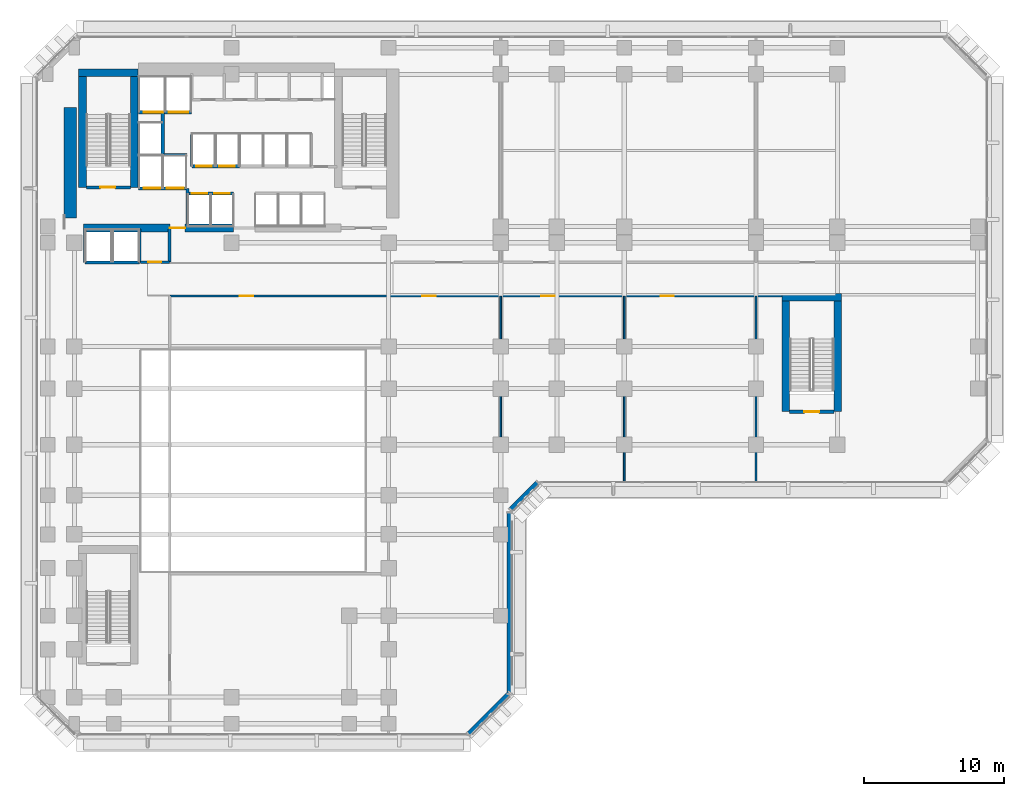
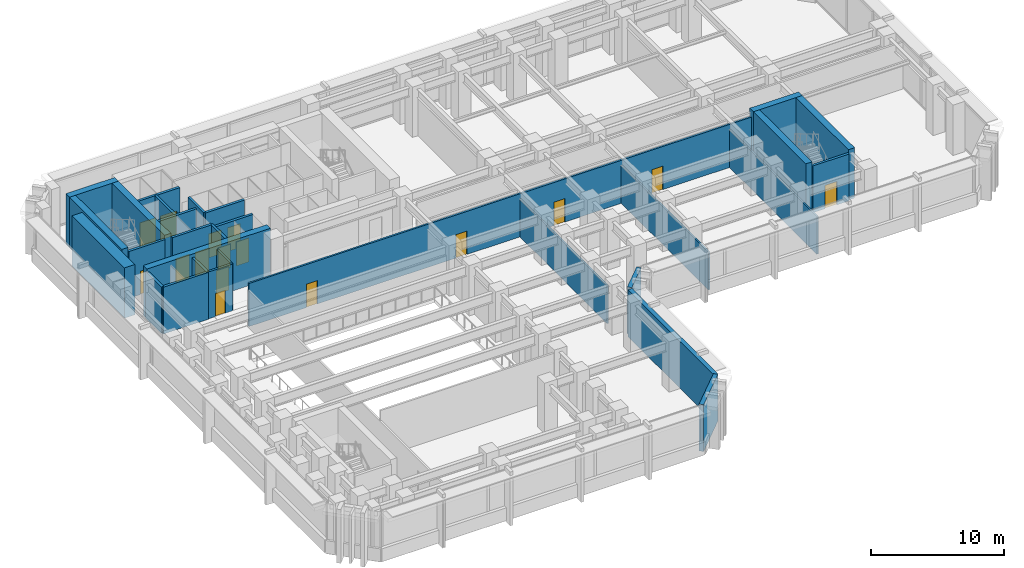
# One storey, part 7 of 16: 30 walls, 16 doors, 16 openings.
"""IFC4 building model written with IfcOpenShell, lengths in metres."""

import ifcopenshell
import ifcopenshell.guid

model = None  # the IFC model being written
_history = None  # IfcOwnerHistory: only IFC2X3 demands one
_inside = {}  # id of a spatial element -> (the spatial element, [elements in it])
_under = {}  # id of a project, library or spatial element -> (it, [spatial elements below it])
_declared = {}  # id of a project -> (the project, [libraries it declares])
_typed = {}  # id of a type object -> (the type object, [elements of that type])
_made_of = {}  # id of a material, layer set ... -> (it, [elements and type objects made of it])


def new_model(schema):
    """Start an empty IFC model of exactly this schema.

    Asked for "IFC4X3", IfcOpenShell would pick the latest addendum, in which some entities
    have other attributes; the version numbers below select the first issue.
    IFC2X3 requires an IfcOwnerHistory on every rooted entity: one is made here for all.
    """
    global model, _history
    if schema == "IFC4X3":
        model = ifcopenshell.file(schema_version=(4, 3, 0, 0))
    else:
        model = ifcopenshell.file(schema=schema)
    _inside.clear()
    _under.clear()
    _declared.clear()
    _typed.clear()
    _made_of.clear()
    _history = None
    if model.schema == "IFC2X3":
        org = make("IfcOrganization", Name="unknown")
        user = make(
            "IfcPersonAndOrganization",
            ThePerson=make("IfcPerson", FamilyName="unknown"),
            TheOrganization=org,
        )
        app = make(
            "IfcApplication",
            ApplicationDeveloper=org,
            Version="unknown",
            ApplicationFullName="unknown",
            ApplicationIdentifier="unknown",
        )
        _history = make(
            "IfcOwnerHistory",
            OwningUser=user,
            OwningApplication=app,
            ChangeAction="ADDED",
            CreationDate=0,
        )
    return model


def make(cls, **values):
    """One entity of the class cls with the attributes given. An attribute that is None is left unset."""
    return model.create_entity(
        cls, **{name: value for name, value in values.items() if value is not None}
    )


def rooted(cls, **values):
    """An entity with a GlobalId (a new one), such as an element, a storey or a relation."""
    return make(cls, GlobalId=ifcopenshell.guid.new(), OwnerHistory=_history, **values)


def si_unit(unit_type, name, prefix=None):
    """IfcSIUnit, for example si_unit("LENGTHUNIT", "METRE", prefix="MILLI")."""
    return make("IfcSIUnit", UnitType=unit_type, Prefix=prefix, Name=name)


def assignment(units):
    """IfcUnitAssignment: the units of a project."""
    return None if units is None else make("IfcUnitAssignment", Units=units)


def point(xyz):
    """IfcCartesianPoint."""
    return None if xyz is None else make("IfcCartesianPoint", Coordinates=xyz)


def direction(xyz):
    """IfcDirection."""
    return None if xyz is None else make("IfcDirection", DirectionRatios=xyz)


def frame(location, z_axis=None, x_axis=None):
    """IfcAxis2Placement3D, a coordinate frame: its origin and axes. An axis left out is left unset."""
    return make(
        "IfcAxis2Placement3D",
        Location=point(location),
        Axis=direction(z_axis),
        RefDirection=direction(x_axis),
    )


def frame_2d(location, x_axis=None):
    """IfcAxis2Placement2D, a coordinate frame in the plane: its origin and x axis."""
    return make(
        "IfcAxis2Placement2D", Location=point(location), RefDirection=direction(x_axis)
    )


def origin():
    """The frame at (0, 0, 0) with its axes left unset."""
    return frame((0.0, 0.0, 0.0))


def place(relative_to, where):
    """IfcLocalPlacement: puts the frame where relative to a parent placement (None: the world)."""
    return make(
        "IfcLocalPlacement", PlacementRelTo=relative_to, RelativePlacement=where
    )


def context(
    kind, dimensions, precision=None, world=None, true_north=None, identifier=None
):
    """IfcGeometricRepresentationContext, for example the 3D "Model" context."""
    return make(
        "IfcGeometricRepresentationContext",
        ContextIdentifier=identifier,
        ContextType=kind,
        CoordinateSpaceDimension=dimensions,
        Precision=precision,
        WorldCoordinateSystem=world,
        TrueNorth=true_north,
    )


def subcontext(parent, identifier, kind, view, scale=None):
    """IfcGeometricRepresentationSubContext, for example "Body" below "Model"."""
    return make(
        "IfcGeometricRepresentationSubContext",
        ContextIdentifier=identifier,
        ContextType=kind,
        ParentContext=parent,
        TargetScale=scale,
        TargetView=view,
    )


def project(units=None, contexts=None):
    """IfcProject with its units and contexts."""
    return rooted(
        "IfcProject",
        Name="project",
        RepresentationContexts=contexts,
        UnitsInContext=assignment(units),
    )


def spatial(cls, under=None, at=None, **own):
    """A site, building, storey or space (cls), placed at a placement, below another one or the project."""
    s = rooted(cls, ObjectPlacement=at, **own)
    if under is not None:
        _under.setdefault(under.id(), (under, []))[1].append(s)
    return s


def profile(cls, at=None, kind="AREA", **sizes):
    """A parametric profile (cls). Its sizes go by their IFC names, for example OverallWidth=200.0."""
    return make(cls, ProfileType=kind, Position=at, **sizes)


def rectangle(**sizes):
    """IfcRectangleProfileDef."""
    return profile("IfcRectangleProfileDef", **sizes)


def extrude(swept, where, along, depth):
    """IfcExtrudedAreaSolid: the profile swept, set in the frame where, extruded along a direction by depth."""
    return make(
        "IfcExtrudedAreaSolid",
        SweptArea=swept,
        Position=where,
        ExtrudedDirection=direction(along),
        Depth=depth,
    )


def shape(context_of_items, identifier, shape_type, items):
    """IfcShapeRepresentation: the items that make up one representation, for example the "Body"."""
    return make(
        "IfcShapeRepresentation",
        ContextOfItems=context_of_items,
        RepresentationIdentifier=identifier,
        RepresentationType=shape_type,
        Items=items,
    )


def material(Name=None, Category=None):
    """IfcMaterial."""
    return make("IfcMaterial", Name=Name, Category=Category)


def layer(
    of_material, thickness, ventilated=None, Name=None, Category=None, Priority=None
):
    """IfcMaterialLayer: one layer of a wall or slab, of a material (None: an air gap)."""
    return make(
        "IfcMaterialLayer",
        Material=of_material,
        LayerThickness=thickness,
        IsVentilated=ventilated,
        Name=Name,
        Category=Category,
        Priority=Priority,
    )


def layer_set(layers, Name=None):
    """IfcMaterialLayerSet."""
    return make("IfcMaterialLayerSet", MaterialLayers=layers, LayerSetName=Name)


def made_of(thing, what):
    """Note that an element or type object is made of a material, layer set ...; save() writes the relation."""
    if what is not None:
        _made_of.setdefault(what.id(), (what, []))[1].append(thing)
    return thing


def type_object(cls, material=None, **own):
    """A type object (cls), such as IfcWallType, which elements share."""
    return made_of(rooted(cls, **own), material)


def element(
    cls,
    number,
    at=None,
    inside=None,
    cuts=None,
    type_object=None,
    material=None,
    context=None,
    identifier="Body",
    shape_type=None,
    held_by="IfcProductDefinitionShape",
    body=None,
    shapes=None,
    **own,
):
    """One element of the class cls, such as IfcWall. Its Tag is "e" and its number.

    at: its placement. inside: the storey or other place that contains it. cuts: it is an
    opening in that element (IfcRelVoidsElement). A single representation is given by context,
    identifier, shape_type and body (its items); several are given by shapes. held_by: the class
    of the entity that holds the representations. save() writes the other relations.
    """
    e = rooted(cls, Tag="e%d" % number, ObjectPlacement=at, **own)
    if body is not None:
        shapes = [shape(context, identifier, shape_type, body)]
    if shapes is not None:
        e.Representation = make(held_by, Representations=shapes)
    if inside is not None:
        _inside.setdefault(inside.id(), (inside, []))[1].append(e)
    if cuts is not None:
        rooted(
            "IfcRelVoidsElement", RelatingBuildingElement=cuts, RelatedOpeningElement=e
        )
    if type_object is not None:
        _typed.setdefault(type_object.id(), (type_object, []))[1].append(e)
    return made_of(e, material)


def fill(opening, filler):
    """IfcRelFillsElement: the door or window that sits in an opening."""
    return rooted(
        "IfcRelFillsElement",
        RelatingOpeningElement=opening,
        RelatedBuildingElement=filler,
    )


def aggregate(whole, parts):
    """IfcRelAggregates: a whole, such as a stair, and the parts it consists of."""
    return rooted("IfcRelAggregates", RelatingObject=whole, RelatedObjects=parts)


def save(model, path):
    """Write the relations noted so far, then the file.

    IfcRelAggregates (storeys below a building ...), IfcRelContainedInSpatialStructure (elements
    in a storey), IfcRelDefinesByType, IfcRelAssociatesMaterial and IfcRelDeclares: one each for
    every whole, place, type object, material and project.
    """
    for whole, parts in _under.values():
        aggregate(whole, parts)
    for where, things in _inside.values():
        rooted(
            "IfcRelContainedInSpatialStructure",
            RelatedElements=things,
            RelatingStructure=where,
        )
    for kind, things in _typed.values():
        rooted("IfcRelDefinesByType", RelatedObjects=things, RelatingType=kind)
    for what, things in _made_of.values():
        rooted("IfcRelAssociatesMaterial", RelatedObjects=things, RelatingMaterial=what)
    for by, libraries in _declared.values():
        rooted("IfcRelDeclares", RelatingContext=by, RelatedDefinitions=libraries)
    model.write(path)


model = new_model("IFC4")

# Units and contexts
model_context = context("Model", 3, precision=1e-05, world=origin(), true_north=direction((0.0, 1.0)))
body_context = subcontext(model_context, "Body", "Model", "MODEL_VIEW")
ifc_project = project(units=[si_unit("LENGTHUNIT", "METRE"), si_unit("AREAUNIT", "SQUARE_METRE"), si_unit("VOLUMEUNIT", "CUBIC_METRE"), si_unit("PLANEANGLEUNIT", "RADIAN"), si_unit("MASSUNIT", "GRAM", prefix="KILO")], contexts=[model_context])

# Site, building, storey
site_placement = place(None, origin())
site = spatial("IfcSite", under=ifc_project, at=site_placement, CompositionType="ELEMENT")
building_placement = place(site_placement, origin())
building = spatial("IfcBuilding", under=site, at=building_placement, Name="Kefirva Bronze Tower", CompositionType="ELEMENT")
storey_placement = place(building_placement, frame((0.0, 0.0, 16.5)))
storey = spatial("IfcBuildingStorey", under=building, at=storey_placement, Name="L03", CompositionType="ELEMENT", Elevation=16.5)

# Walls
ifc_material_1 = material(Name="Gypsum acoustic partition")
ifc_layer_1 = layer(ifc_material_1, 0.1298828125, Name="Gypsum acoustic partition")
ifc_layer_set_1 = layer_set([ifc_layer_1], Name="Gypsum acoustic partition")
wall_type_1 = type_object("IfcWallType", Name="Acoustic Office Partition 130mm", PredefinedType="PARTITIONING", material=ifc_layer_set_1)
for number, where, z_axis, x_axis, name in (
    (1, (31.199951171875, 16.18994140625, 0.0), (0.0, 0.0, 1.0), (0.0, 1.0, 0.0), "L03 Partition W-L03-TRDV1"),
    (2, (40.0, 16.18994140625, 0.0), (0.0, 0.0, 1.0), (0.0, 1.0, 0.0), "L03 Partition W-L03-TRDV2"),
    (3, (49.39990234375, 16.18994140625, 0.0), (0.0, 0.0, 1.0), (0.0, 1.0, 0.0), "L03 Partition W-L03-TRDV3"),
):
    element("IfcWall", number, at=place(storey_placement, frame(where, z_axis=z_axis, x_axis=x_axis)), inside=storey, type_object=wall_type_1, Name=name, PredefinedType="PARTITIONING", context=body_context, shape_type="SweptSolid", body=[
        extrude(rectangle(XDim=13.2099609375, YDim=0.1298828125, at=frame_2d((6.60498046875, 0.0))), origin(), (0.0, 0.0, 1.0), 3.485107421875),
    ])

# Wall, opening, door
ifc_material_2 = material(Name="Gypsum fireboard shaftwall")
ifc_layer_2 = layer(ifc_material_2, 0.219970703125, Name="Gypsum fireboard shaftwall")
ifc_layer_set_2 = layer_set([ifc_layer_2], Name="Gypsum fireboard shaftwall")
wall_type_2 = type_object("IfcWallType", Name="Fire-Rated Shaft Enclosure Wall 220mm", PredefinedType="PARTITIONING", material=ifc_layer_set_2)
wall_1_placement = place(storey_placement, frame((1.64990234375, 37.14990234375, 0.0), z_axis=(0.0, 0.0, 1.0), x_axis=(1.0, 0.0, 0.0)))
wall_1 = element("IfcWall", 4, at=wall_1_placement, inside=storey, type_object=wall_type_2, Name="L03 Partition W-L03-ST1S", PredefinedType="PARTITIONING", context=body_context, shape_type="SweptSolid", body=[
    extrude(rectangle(XDim=3.150146484375, YDim=0.219970703125, at=frame_2d((1.5751953125, 0.0))), origin(), (0.0, 0.0, 1.0), 4.300048828125),
])
opening_1_placement = place(wall_1_placement, frame((2.050048828125, 0.0, 0.0), z_axis=(0.0, 0.0, 1.0), x_axis=(-1.0, 0.0, 0.0)))
opening_1 = element("IfcOpeningElement", 5, at=opening_1_placement, cuts=wall_1, Name="Opening L03-D001", PredefinedType="OPENING", context=body_context, shape_type="SweptSolid", body=[
    extrude(rectangle(XDim=1.050048828125, YDim=2.14990234375, at=frame_2d((0.52490234375, 1.074951171875))), frame((0.0, 0.1201171875, 0.0), z_axis=(0.0, -1.0, 0.0), x_axis=(1.0, 0.0, 0.0)), (0.0, 0.0, 1.0), 0.239990234375),
])
ifc_material_3 = material(Name="Painted galvanized steel", Category="steel")
door_type_1 = type_object("IfcDoorType", Name="Fire Stair Enclosure Door 1050x2150 FD90S", OperationType="NOTDEFINED", PredefinedType="DOOR", material=ifc_material_3)
door_1_placement = place(opening_1_placement, origin())
door_1 = element("IfcDoor", 6, at=door_1_placement, inside=storey, type_object=door_type_1, Name="Door L03-D001", OperationType="SINGLE_SWING_LEFT", OverallHeight=2.14990234375, OverallWidth=1.050048828125, PredefinedType="DOOR", context=body_context, shape_type="SweptSolid", body=[
    extrude(rectangle(XDim=1.050048828125, YDim=2.14990234375, at=frame_2d((0.52490234375, 1.074951171875))), frame((0.0, 0.02490234375, 0.0), z_axis=(0.0, -1.0, 0.0), x_axis=(1.0, 0.0, 0.0)), (0.0, 0.0, 1.0), 0.050048828125),
])
fill(opening_1, door_1)

# Wall, openings, doors
wall_2_placement = place(storey_placement, frame((5.3798828125, 37.080078125, 0.0), z_axis=(0.0, 0.0, 1.0), x_axis=(1.0, 0.0, 0.0)))
wall_2 = element("IfcWall", 7, at=wall_2_placement, inside=storey, type_object=wall_type_2, Name="L03 Partition W-L03-FFS", PredefinedType="PARTITIONING", context=body_context, shape_type="SweptSolid", body=[
    extrude(rectangle(XDim=3.460205078125, YDim=0.219970703125, at=frame_2d((1.72998046875, 0.0))), origin(), (0.0, 0.0, 1.0), 4.300048828125),
])
opening_2_placement = place(wall_2_placement, frame((1.550048828125, 0.0, 0.0), z_axis=(0.0, 0.0, 1.0), x_axis=(-1.0, 0.0, 0.0)))
opening_2 = element("IfcOpeningElement", 8, at=opening_2_placement, cuts=wall_2, Name="Opening L03-LD-FF1", PredefinedType="OPENING", context=body_context, shape_type="SweptSolid", body=[
    extrude(rectangle(XDim=1.199951171875, YDim=2.199951171875, at=frame_2d((0.60009765625, 1.10009765625))), frame((0.0, 0.1201171875, 0.0), z_axis=(0.0, -1.0, 0.0), x_axis=(1.0, 0.0, 0.0)), (0.0, 0.0, 1.0), 0.239990234375),
])
opening_3_placement = place(wall_2_placement, frame((3.219970703125, 0.0, 0.0), z_axis=(0.0, 0.0, 1.0), x_axis=(-1.0, 0.0, 0.0)))
opening_3 = element("IfcOpeningElement", 9, at=opening_3_placement, cuts=wall_2, Name="Opening L03-LD-FF2", PredefinedType="OPENING", context=body_context, shape_type="SweptSolid", body=[
    extrude(rectangle(XDim=1.199951171875, YDim=2.199951171875, at=frame_2d((0.60009765625, 1.10009765625))), frame((0.0, 0.1201171875, 0.0), z_axis=(0.0, -1.0, 0.0), x_axis=(1.0, 0.0, 0.0)), (0.0, 0.0, 1.0), 0.239990234375),
])
ifc_material_4 = material(Name="Stainless steel 316", Category="steel")
door_type_2 = type_object("IfcDoorType", Name="Firefighting Lift Sliding Door 1200x2200", OperationType="SLIDING_TO_RIGHT", PredefinedType="DOOR", material=ifc_material_4)
door_2_placement = place(opening_2_placement, origin())
door_2 = element("IfcDoor", 10, at=door_2_placement, inside=storey, type_object=door_type_2, Name="Door L03-LD-FF1", OperationType="SLIDING_TO_RIGHT", OverallHeight=2.199951171875, OverallWidth=1.199951171875, PredefinedType="DOOR", context=body_context, shape_type="SweptSolid", body=[
    extrude(rectangle(XDim=1.199951171875, YDim=2.199951171875, at=frame_2d((0.60009765625, 1.10009765625))), frame((0.0, 0.02490234375, 0.0), z_axis=(0.0, -1.0, 0.0), x_axis=(1.0, 0.0, 0.0)), (0.0, 0.0, 1.0), 0.050048828125),
])
fill(opening_2, door_2)
door_3_placement = place(opening_3_placement, origin())
door_3 = element("IfcDoor", 11, at=door_3_placement, inside=storey, type_object=door_type_2, Name="Door L03-LD-FF2", OperationType="SLIDING_TO_RIGHT", OverallHeight=2.199951171875, OverallWidth=1.199951171875, PredefinedType="DOOR", context=body_context, shape_type="SweptSolid", body=[
    extrude(rectangle(XDim=1.199951171875, YDim=2.199951171875, at=frame_2d((0.60009765625, 1.10009765625))), frame((0.0, 0.02490234375, 0.0), z_axis=(0.0, -1.0, 0.0), x_axis=(1.0, 0.0, 0.0)), (0.0, 0.0, 1.0), 0.050048828125),
])
fill(opening_3, door_3)

# Wall
wall_3_placement = place(storey_placement, frame((5.3798828125, 39.449951171875, 0.0), z_axis=(0.0, 0.0, 1.0), x_axis=(1.0, 0.0, 0.0)))
element("IfcWall", 12, at=wall_3_placement, inside=storey, type_object=wall_type_2, Name="L03 Partition W-L03-FFN", PredefinedType="PARTITIONING", context=body_context, shape_type="SweptSolid", body=[
    extrude(rectangle(XDim=3.460205078125, YDim=0.219970703125, at=frame_2d((1.72998046875, 0.0))), origin(), (0.0, 0.0, 1.0), 4.300048828125),
])

# Wall, openings, doors
wall_4_placement = place(storey_placement, frame((5.3798828125, 42.5, 0.0), z_axis=(0.0, 0.0, 1.0), x_axis=(1.0, 0.0, 0.0)))
wall_4 = element("IfcWall", 13, at=wall_4_placement, inside=storey, type_object=wall_type_2, Name="L03 Partition W-L03-SVS", PredefinedType="PARTITIONING", context=body_context, shape_type="SweptSolid", body=[
    extrude(rectangle(XDim=3.77001953125, YDim=0.219970703125, at=frame_2d((1.885009765625, 0.0))), origin(), (0.0, 0.0, 1.0), 4.300048828125),
])
opening_4_placement = place(wall_4_placement, frame((1.75, 0.0, 0.0), z_axis=(0.0, 0.0, 1.0), x_axis=(-1.0, 0.0, 0.0)))
opening_4 = element("IfcOpeningElement", 14, at=opening_4_placement, cuts=wall_4, Name="Opening L03-LD-SV1", PredefinedType="OPENING", context=body_context, shape_type="SweptSolid", body=[
    extrude(rectangle(XDim=1.39990234375, YDim=2.199951171875, at=frame_2d((0.699951171875, 1.10009765625))), frame((0.0, 0.1201171875, 0.0), z_axis=(0.0, -1.0, 0.0), x_axis=(1.0, 0.0, 0.0)), (0.0, 0.0, 1.0), 0.239990234375),
])
opening_5_placement = place(wall_4_placement, frame((3.52978515625, 0.0, 0.0), z_axis=(0.0, 0.0, 1.0), x_axis=(-1.0, 0.0, 0.0)))
opening_5 = element("IfcOpeningElement", 15, at=opening_5_placement, cuts=wall_4, Name="Opening L03-LD-SV2", PredefinedType="OPENING", context=body_context, shape_type="SweptSolid", body=[
    extrude(rectangle(XDim=1.39990234375, YDim=2.199951171875, at=frame_2d((0.699951171875, 1.10009765625))), frame((0.0, 0.1201171875, 0.0), z_axis=(0.0, -1.0, 0.0), x_axis=(1.0, 0.0, 0.0)), (0.0, 0.0, 1.0), 0.239990234375),
])
door_type_3 = type_object("IfcDoorType", Name="Goods Lift Bi-Parting Sliding Door 1400x2200", OperationType="SLIDING_TO_LEFT", PredefinedType="DOOR", material=ifc_material_4)
door_4_placement = place(opening_4_placement, origin())
door_4 = element("IfcDoor", 16, at=door_4_placement, inside=storey, type_object=door_type_3, Name="Door L03-LD-SV1", OperationType="SLIDING_TO_LEFT", OverallHeight=2.199951171875, OverallWidth=1.39990234375, PredefinedType="DOOR", context=body_context, shape_type="SweptSolid", body=[
    extrude(rectangle(XDim=1.39990234375, YDim=2.199951171875, at=frame_2d((0.699951171875, 1.10009765625))), frame((0.0, 0.02490234375, 0.0), z_axis=(0.0, -1.0, 0.0), x_axis=(1.0, 0.0, 0.0)), (0.0, 0.0, 1.0), 0.050048828125),
])
fill(opening_4, door_4)
door_5_placement = place(opening_5_placement, origin())
door_5 = element("IfcDoor", 17, at=door_5_placement, inside=storey, type_object=door_type_3, Name="Door L03-LD-SV2", OperationType="SLIDING_TO_LEFT", OverallHeight=2.199951171875, OverallWidth=1.39990234375, PredefinedType="DOOR", context=body_context, shape_type="SweptSolid", body=[
    extrude(rectangle(XDim=1.39990234375, YDim=2.199951171875, at=frame_2d((0.699951171875, 1.10009765625))), frame((0.0, 0.02490234375, 0.0), z_axis=(0.0, -1.0, 0.0), x_axis=(1.0, 0.0, 0.0)), (0.0, 0.0, 1.0), 0.050048828125),
])
fill(opening_5, door_5)

# Walls
wall_5_placement = place(storey_placement, frame((7.10009765625, 39.52001953125, 0.0), z_axis=(0.0, 0.0, 1.0), x_axis=(0.0, 1.0, 0.0)))
element("IfcWall", 18, at=wall_5_placement, inside=storey, type_object=wall_type_2, Name="L03 Partition W-L03-HP3E", PredefinedType="PARTITIONING", context=body_context, shape_type="SweptSolid", body=[
    extrude(rectangle(XDim=2.929931640625, YDim=0.219970703125, at=frame_2d((1.46484375, 0.0))), origin(), (0.0, 0.0, 1.0), 4.300048828125),
])
wall_6_placement = place(storey_placement, frame((1.550048828125, 31.800048828125, 0.0), z_axis=(0.0, 0.0, 1.0), x_axis=(1.0, 0.0, 0.0)))
element("IfcWall", 19, at=wall_6_placement, inside=storey, type_object=wall_type_2, Name="L03 Partition W-L03-OBS", PredefinedType="PARTITIONING", context=body_context, shape_type="SweptSolid", body=[
    extrude(rectangle(XDim=3.89990234375, YDim=0.219970703125, at=frame_2d((1.949951171875, 0.0))), origin(), (0.0, 0.0, 1.0), 4.300048828125),
])
for number, where, z_axis, x_axis, name in (
    (20, (1.550048828125, 31.800048828125, 0.0), (0.0, 0.0, 1.0), (0.0, 1.0, 0.0), "L03 Partition W-L03-OBW"),
    (21, (5.449951171875, 31.800048828125, 0.0), (0.0, 0.0, 1.0), (0.0, 1.0, 0.0), "L03 Partition W-L03-OBE"),
):
    element("IfcWall", number, at=place(storey_placement, frame(where, z_axis=z_axis, x_axis=x_axis)), inside=storey, type_object=wall_type_2, Name=name, PredefinedType="PARTITIONING", context=body_context, shape_type="SweptSolid", body=[
        extrude(rectangle(XDim=2.3798828125, YDim=0.219970703125, at=frame_2d((1.18994140625, 0.0))), origin(), (0.0, 0.0, 1.0), 4.300048828125),
    ])
wall_7_placement = place(storey_placement, frame((9.159912109375, 38.64990234375, 0.0), z_axis=(0.0, 0.0, 1.0), x_axis=(0.0, 1.0, 0.0)))
element("IfcWall", 22, at=wall_7_placement, inside=storey, type_object=wall_type_2, Name="L03 Partition W-L03-LP3W", PredefinedType="PARTITIONING", context=body_context, shape_type="SweptSolid", body=[
    extrude(rectangle(XDim=2.35009765625, YDim=0.199951171875, at=frame_2d((1.175048828125, 0.0))), origin(), (0.0, 0.0, 1.0), 4.300048828125),
])

# Wall, openings, doors
wall_8_placement = place(storey_placement, frame((8.89990234375, 36.699951171875, 0.0), z_axis=(0.0, 0.0, 1.0), x_axis=(1.0, 0.0, 0.0)))
wall_8 = element("IfcWall", 23, at=wall_8_placement, inside=storey, type_object=wall_type_2, Name="L03 Partition W-L03-LPS", PredefinedType="PARTITIONING", context=body_context, shape_type="SweptSolid", body=[
    extrude(rectangle(XDim=3.260009765625, YDim=0.219970703125, at=frame_2d((1.6298828125, 0.0))), origin(), (0.0, 0.0, 1.0), 4.300048828125),
])
opening_6_placement = place(wall_8_placement, frame((0.260009765625, 0.0, 0.0)))
opening_6 = element("IfcOpeningElement", 24, at=opening_6_placement, cuts=wall_8, Name="Opening L03-LD-LP1", PredefinedType="OPENING", context=body_context, shape_type="SweptSolid", body=[
    extrude(rectangle(XDim=1.10009765625, YDim=2.199951171875, at=frame_2d((0.550048828125, 1.10009765625))), frame((0.0, 0.1201171875, 0.0), z_axis=(0.0, -1.0, 0.0), x_axis=(1.0, 0.0, 0.0)), (0.0, 0.0, 1.0), 0.239990234375),
])
opening_7_placement = place(wall_8_placement, frame((1.8798828125, 0.0, 0.0)))
opening_7 = element("IfcOpeningElement", 25, at=opening_7_placement, cuts=wall_8, Name="Opening L03-LD-LP2", PredefinedType="OPENING", context=body_context, shape_type="SweptSolid", body=[
    extrude(rectangle(XDim=1.10009765625, YDim=2.199951171875, at=frame_2d((0.550048828125, 1.10009765625))), frame((0.0, 0.1201171875, 0.0), z_axis=(0.0, -1.0, 0.0), x_axis=(1.0, 0.0, 0.0)), (0.0, 0.0, 1.0), 0.239990234375),
])
door_type_4 = type_object("IfcDoorType", Name="Passenger Lift Sliding Landing Door 1100x2200", OperationType="SLIDING_TO_LEFT", PredefinedType="DOOR", material=ifc_material_4)
door_6_placement = place(opening_6_placement, origin())
door_6 = element("IfcDoor", 26, at=door_6_placement, inside=storey, type_object=door_type_4, Name="Door L03-LD-LP1", OperationType="SLIDING_TO_LEFT", OverallHeight=2.199951171875, OverallWidth=1.10009765625, PredefinedType="DOOR", context=body_context, shape_type="SweptSolid", body=[
    extrude(rectangle(XDim=1.10009765625, YDim=2.199951171875, at=frame_2d((0.550048828125, 1.10009765625))), frame((0.0, 0.02490234375, 0.0), z_axis=(0.0, -1.0, 0.0), x_axis=(1.0, 0.0, 0.0)), (0.0, 0.0, 1.0), 0.050048828125),
])
fill(opening_6, door_6)
door_7_placement = place(opening_7_placement, origin())
door_7 = element("IfcDoor", 27, at=door_7_placement, inside=storey, type_object=door_type_4, Name="Door L03-LD-LP2", OperationType="SLIDING_TO_LEFT", OverallHeight=2.199951171875, OverallWidth=1.10009765625, PredefinedType="DOOR", context=body_context, shape_type="SweptSolid", body=[
    extrude(rectangle(XDim=1.10009765625, YDim=2.199951171875, at=frame_2d((0.550048828125, 1.10009765625))), frame((0.0, 0.02490234375, 0.0), z_axis=(0.0, -1.0, 0.0), x_axis=(1.0, 0.0, 0.0)), (0.0, 0.0, 1.0), 0.050048828125),
])
fill(opening_7, door_7)

wall_9_placement = place(storey_placement, frame((9.179931640625, 38.64990234375, 0.0), z_axis=(0.0, 0.0, 1.0), x_axis=(1.0, 0.0, 0.0)))
wall_9 = element("IfcWall", 28, at=wall_9_placement, inside=storey, type_object=wall_type_2, Name="L03 Partition W-L03-LPN", PredefinedType="PARTITIONING", context=body_context, shape_type="SweptSolid", body=[
    extrude(rectangle(XDim=3.380126953125, YDim=0.219970703125, at=frame_2d((1.68994140625, 0.0))), origin(), (0.0, 0.0, 1.0), 4.300048828125),
])
opening_8_placement = place(wall_9_placement, frame((0.300048828125, 0.0, 0.0)))
opening_8 = element("IfcOpeningElement", 29, at=opening_8_placement, cuts=wall_9, Name="Opening L03-LD-LP3", PredefinedType="OPENING", context=body_context, shape_type="SweptSolid", body=[
    extrude(rectangle(XDim=1.10009765625, YDim=2.199951171875, at=frame_2d((0.550048828125, 1.10009765625))), frame((0.0, 0.1201171875, 0.0), z_axis=(0.0, -1.0, 0.0), x_axis=(1.0, 0.0, 0.0)), (0.0, 0.0, 1.0), 0.239990234375),
])
opening_9_placement = place(wall_9_placement, frame((1.949951171875, 0.0, 0.0)))
opening_9 = element("IfcOpeningElement", 30, at=opening_9_placement, cuts=wall_9, Name="Opening L03-LD-LP4", PredefinedType="OPENING", context=body_context, shape_type="SweptSolid", body=[
    extrude(rectangle(XDim=1.10009765625, YDim=2.199951171875, at=frame_2d((0.550048828125, 1.10009765625))), frame((0.0, 0.1201171875, 0.0), z_axis=(0.0, -1.0, 0.0), x_axis=(1.0, 0.0, 0.0)), (0.0, 0.0, 1.0), 0.239990234375),
])
door_8_placement = place(opening_8_placement, origin())
door_8 = element("IfcDoor", 31, at=door_8_placement, inside=storey, type_object=door_type_4, Name="Door L03-LD-LP3", OperationType="SLIDING_TO_LEFT", OverallHeight=2.199951171875, OverallWidth=1.10009765625, PredefinedType="DOOR", context=body_context, shape_type="SweptSolid", body=[
    extrude(rectangle(XDim=1.10009765625, YDim=2.199951171875, at=frame_2d((0.550048828125, 1.10009765625))), frame((0.0, 0.02490234375, 0.0), z_axis=(0.0, -1.0, 0.0), x_axis=(1.0, 0.0, 0.0)), (0.0, 0.0, 1.0), 0.050048828125),
])
fill(opening_8, door_8)
door_9_placement = place(opening_9_placement, origin())
door_9 = element("IfcDoor", 32, at=door_9_placement, inside=storey, type_object=door_type_4, Name="Door L03-LD-LP4", OperationType="SLIDING_TO_LEFT", OverallHeight=2.199951171875, OverallWidth=1.10009765625, PredefinedType="DOOR", context=body_context, shape_type="SweptSolid", body=[
    extrude(rectangle(XDim=1.10009765625, YDim=2.199951171875, at=frame_2d((0.550048828125, 1.10009765625))), frame((0.0, 0.02490234375, 0.0), z_axis=(0.0, -1.0, 0.0), x_axis=(1.0, 0.0, 0.0)), (0.0, 0.0, 1.0), 0.050048828125),
])
fill(opening_9, door_9)

# Wall, opening, door
wall_10_placement = place(storey_placement, frame((51.800048828125, 21.14990234375, 0.0), z_axis=(0.0, 0.0, 1.0), x_axis=(1.0, 0.0, 0.0)))
wall_10 = element("IfcWall", 33, at=wall_10_placement, inside=storey, type_object=wall_type_2, Name="L03 Partition W-L03-ST4S", PredefinedType="PARTITIONING", context=body_context, shape_type="SweptSolid", body=[
    extrude(rectangle(XDim=3.14990234375, YDim=0.219970703125, at=frame_2d((1.574951171875, 0.0))), origin(), (0.0, 0.0, 1.0), 4.300048828125),
])
opening_10_placement = place(wall_10_placement, frame((2.10009765625, 0.0, 0.0), z_axis=(0.0, 0.0, 1.0), x_axis=(-1.0, 0.0, 0.0)))
opening_10 = element("IfcOpeningElement", 34, at=opening_10_placement, cuts=wall_10, Name="Opening L03-D-ST4", PredefinedType="OPENING", context=body_context, shape_type="SweptSolid", body=[
    extrude(rectangle(XDim=1.050048828125, YDim=2.14990234375, at=frame_2d((0.52490234375, 1.074951171875))), frame((0.0, 0.1201171875, 0.0), z_axis=(0.0, -1.0, 0.0), x_axis=(1.0, 0.0, 0.0)), (0.0, 0.0, 1.0), 0.239990234375),
])
door_10_placement = place(opening_10_placement, origin())
door_10 = element("IfcDoor", 35, at=door_10_placement, inside=storey, type_object=door_type_1, Name="Door L03-D-ST4", OperationType="SINGLE_SWING_RIGHT", OverallHeight=2.14990234375, OverallWidth=1.050048828125, PredefinedType="DOOR", context=body_context, shape_type="SweptSolid", body=[
    extrude(rectangle(XDim=1.050048828125, YDim=2.14990234375, at=frame_2d((0.52490234375, 1.074951171875))), frame((0.0, 0.02490234375, 0.0), z_axis=(0.0, -1.0, 0.0), x_axis=(1.0, 0.0, 0.0)), (0.0, 0.0, 1.0), 0.050048828125),
])
fill(opening_10, door_10)

# Walls
ifc_material_5 = material(Name="Gypsum fireboard barrier")
ifc_layer_3 = layer(ifc_material_5, 0.199951171875, Name="Gypsum fireboard barrier")
ifc_layer_set_3 = layer_set([ifc_layer_3], Name="Gypsum fireboard barrier")
wall_type_3 = type_object("IfcWallType", Name="Firefighting Lobby Barrier Wall 200mm", PredefinedType="PARTITIONING", material=ifc_layer_set_3)
wall_11_placement = place(storey_placement, frame((8.860107421875, 34.550048828125, 0.0), z_axis=(0.0, 0.0, 1.0), x_axis=(0.0, 1.0, 0.0)))
element("IfcWall", 36, at=wall_11_placement, inside=storey, type_object=wall_type_3, Name="L03 Partition W-L03-FFLE", PredefinedType="PARTITIONING", context=body_context, shape_type="SweptSolid", body=[
    extrude(rectangle(XDim=2.5, YDim=0.199951171875, at=frame_2d((1.25, 0.0))), origin(), (0.0, 0.0, 1.0), 4.300048828125),
])
ifc_material_6 = material(Name="Precast concrete C40/50", Category="concrete")
ifc_layer_4 = layer(ifc_material_6, 0.360107421875, Name="Precast concrete C40/50")
ifc_layer_set_4 = layer_set([ifc_layer_4], Name="Precast concrete C40/50")
wall_type_4 = type_object("IfcWallType", Name="Precast Podium Facade Wall 360mm", PredefinedType="SOLIDWALL", material=ifc_layer_set_4)
wall_12_placement = place(storey_placement, frame((28.91162109375, -1.833740234375, 0.0), z_axis=(0.0, 0.0, 1.0), x_axis=(0.707106781187, 0.707106781187, 0.0)))
element("IfcWall", 37, at=wall_12_placement, inside=storey, type_object=wall_type_4, Name="L03 Exterior Facade Wall 1", PredefinedType="SOLIDWALL", context=body_context, shape_type="SweptSolid", body=[
    extrude(rectangle(XDim=4.132568359375, YDim=0.360107421875, at=frame_2d((2.06640625, 0.0))), origin(), (0.0, 0.0, 1.0), 4.300048828125),
])
wall_13_placement = place(storey_placement, frame((31.820068359375, 1.054931640625, 0.0), z_axis=(0.0, 0.0, 1.0), x_axis=(0.0, 1.0, 0.0)))
element("IfcWall", 38, at=wall_13_placement, inside=storey, type_object=wall_type_4, Name="L03 Exterior Facade Wall 2", PredefinedType="SOLIDWALL", context=body_context, shape_type="SweptSolid", body=[
    extrude(rectangle(XDim=12.89013671875, YDim=0.360107421875, at=frame_2d((6.445068359375, 0.0))), origin(), (0.0, 0.0, 1.0), 4.300048828125),
])
wall_14_placement = place(storey_placement, frame((31.91162109375, 14.166259765625, 0.0), z_axis=(0.0, 0.0, 1.0), x_axis=(0.707106781187, 0.707106781187, 0.0)))
element("IfcWall", 39, at=wall_14_placement, inside=storey, type_object=wall_type_4, Name="L03 Exterior Facade Wall 3", PredefinedType="SOLIDWALL", context=body_context, shape_type="SweptSolid", body=[
    extrude(rectangle(XDim=2.71826171875, YDim=0.360107421875, at=frame_2d((1.359130859375, 0.0))), origin(), (0.0, 0.0, 1.0), 4.300048828125),
])

# Wall, openings, doors
ifc_layer_5 = layer(ifc_material_1, 0.159912109375, Name="Gypsum acoustic partition")
ifc_layer_set_5 = layer_set([ifc_layer_5], Name="Gypsum acoustic partition")
wall_type_5 = type_object("IfcWallType", Name="Protected Corridor Partition 160mm", PredefinedType="PARTITIONING", material=ifc_layer_set_5)
wall_15_placement = place(storey_placement, frame((7.60009765625, 29.39990234375, 0.0), z_axis=(0.0, 0.0, 1.0), x_axis=(1.0, 0.0, 0.0)))
wall_15 = element("IfcWall", 40, at=wall_15_placement, inside=storey, type_object=wall_type_5, Name="L03 Partition W-L03-S", PredefinedType="PARTITIONING", context=body_context, shape_type="SweptSolid", body=[
    extrude(rectangle(XDim=43.75, YDim=0.159912109375, at=frame_2d((21.875, 0.0))), origin(), (0.0, 0.0, 1.0), 3.955078125),
])
opening_11_placement = place(wall_15_placement, frame((5.0, 0.0, 0.0)))
opening_11 = element("IfcOpeningElement", 41, at=opening_11_placement, cuts=wall_15, Name="Opening L03-D-FUP", PredefinedType="OPENING", context=body_context, shape_type="SweptSolid", body=[
    extrude(rectangle(XDim=0.949951171875, YDim=2.14990234375, at=frame_2d((0.47509765625, 1.074951171875))), frame((0.0, 0.08984375, 0.0), z_axis=(0.0, -1.0, 0.0), x_axis=(1.0, 0.0, 0.0)), (0.0, 0.0, 1.0), 0.179931640625),
])
opening_12_placement = place(wall_15_placement, frame((18.0, 0.0, 0.0)))
opening_12 = element("IfcOpeningElement", 42, at=opening_12_placement, cuts=wall_15, Name="Opening L03-D-TR1", PredefinedType="OPENING", context=body_context, shape_type="SweptSolid", body=[
    extrude(rectangle(XDim=0.949951171875, YDim=2.14990234375, at=frame_2d((0.47509765625, 1.074951171875))), frame((0.0, 0.08984375, 0.0), z_axis=(0.0, -1.0, 0.0), x_axis=(1.0, 0.0, 0.0)), (0.0, 0.0, 1.0), 0.179931640625),
])
opening_13_placement = place(wall_15_placement, frame((26.5, 0.0, 0.0)))
opening_13 = element("IfcOpeningElement", 43, at=opening_13_placement, cuts=wall_15, Name="Opening L03-D-TR2", PredefinedType="OPENING", context=body_context, shape_type="SweptSolid", body=[
    extrude(rectangle(XDim=0.949951171875, YDim=2.14990234375, at=frame_2d((0.47509765625, 1.074951171875))), frame((0.0, 0.08984375, 0.0), z_axis=(0.0, -1.0, 0.0), x_axis=(1.0, 0.0, 0.0)), (0.0, 0.0, 1.0), 0.179931640625),
])
opening_14_placement = place(wall_15_placement, frame((35.0, 0.0, 0.0)))
opening_14 = element("IfcOpeningElement", 44, at=opening_14_placement, cuts=wall_15, Name="Opening L03-D-TR3", PredefinedType="OPENING", context=body_context, shape_type="SweptSolid", body=[
    extrude(rectangle(XDim=0.949951171875, YDim=2.14990234375, at=frame_2d((0.47509765625, 1.074951171875))), frame((0.0, 0.08984375, 0.0), z_axis=(0.0, -1.0, 0.0), x_axis=(1.0, 0.0, 0.0)), (0.0, 0.0, 1.0), 0.179931640625),
])
ifc_material_7 = material(Name="Acoustic hardwood oak", Category="wood")
door_type_5 = type_object("IfcDoorType", Name="Office & Meeting Room Door 950x2150", OperationType="NOTDEFINED", PredefinedType="DOOR", material=ifc_material_7)
door_11_placement = place(opening_11_placement, origin())
door_11 = element("IfcDoor", 45, at=door_11_placement, inside=storey, type_object=door_type_5, Name="Door L03-D-FUP", OperationType="SINGLE_SWING_LEFT", OverallHeight=2.14990234375, OverallWidth=0.949951171875, PredefinedType="DOOR", context=body_context, shape_type="SweptSolid", body=[
    extrude(rectangle(XDim=0.949951171875, YDim=2.14990234375, at=frame_2d((0.47509765625, 1.074951171875))), frame((0.0, 0.02490234375, 0.0), z_axis=(0.0, -1.0, 0.0), x_axis=(1.0, 0.0, 0.0)), (0.0, 0.0, 1.0), 0.050048828125),
])
fill(opening_11, door_11)
door_12_placement = place(opening_12_placement, origin())
door_12 = element("IfcDoor", 46, at=door_12_placement, inside=storey, type_object=door_type_5, Name="Door L03-D-TR1", OperationType="SINGLE_SWING_RIGHT", OverallHeight=2.14990234375, OverallWidth=0.949951171875, PredefinedType="DOOR", context=body_context, shape_type="SweptSolid", body=[
    extrude(rectangle(XDim=0.949951171875, YDim=2.14990234375, at=frame_2d((0.47509765625, 1.074951171875))), frame((0.0, 0.02490234375, 0.0), z_axis=(0.0, -1.0, 0.0), x_axis=(1.0, 0.0, 0.0)), (0.0, 0.0, 1.0), 0.050048828125),
])
fill(opening_12, door_12)
door_13_placement = place(opening_13_placement, origin())
door_13 = element("IfcDoor", 47, at=door_13_placement, inside=storey, type_object=door_type_5, Name="Door L03-D-TR2", OperationType="SINGLE_SWING_LEFT", OverallHeight=2.14990234375, OverallWidth=0.949951171875, PredefinedType="DOOR", context=body_context, shape_type="SweptSolid", body=[
    extrude(rectangle(XDim=0.949951171875, YDim=2.14990234375, at=frame_2d((0.47509765625, 1.074951171875))), frame((0.0, 0.02490234375, 0.0), z_axis=(0.0, -1.0, 0.0), x_axis=(1.0, 0.0, 0.0)), (0.0, 0.0, 1.0), 0.050048828125),
])
fill(opening_13, door_13)
door_14_placement = place(opening_14_placement, origin())
door_14 = element("IfcDoor", 48, at=door_14_placement, inside=storey, type_object=door_type_5, Name="Door L03-D-TR3", OperationType="SINGLE_SWING_RIGHT", OverallHeight=2.14990234375, OverallWidth=0.949951171875, PredefinedType="DOOR", context=body_context, shape_type="SweptSolid", body=[
    extrude(rectangle(XDim=0.949951171875, YDim=2.14990234375, at=frame_2d((0.47509765625, 1.074951171875))), frame((0.0, 0.02490234375, 0.0), z_axis=(0.0, -1.0, 0.0), x_axis=(1.0, 0.0, 0.0)), (0.0, 0.0, 1.0), 0.050048828125),
])
fill(opening_14, door_14)

# Walls
ifc_material_8 = material(Name="Concrete C50/60", Category="concrete")
ifc_layer_6 = layer(ifc_material_8, 0.550048828125, Name="Concrete C50/60")
ifc_layer_set_6 = layer_set([ifc_layer_6], Name="Concrete C50/60")
wall_type_6 = type_object("IfcWallType", Name="RC Rear Core Interior Wall 550mm", PredefinedType="SHEAR", material=ifc_layer_set_6)
for number, where, z_axis, x_axis, name in (
    (49, (1.3701171875, 37.14990234375, 0.0), (0.0, 0.0, 1.0), (0.0, 1.0, 0.0), "L03 Stair 1 West Shear Wall"),
    (50, (5.070068359375, 37.14990234375, 0.0), (0.0, 0.0, 1.0), (0.0, 1.0, 0.0), "L03 Stair 1 East Shear Wall"),
):
    element("IfcWall", number, at=place(storey_placement, frame(where, z_axis=z_axis, x_axis=x_axis)), inside=storey, type_object=wall_type_6, Name=name, PredefinedType="SHEAR", context=body_context, shape_type="SweptSolid", body=[
        extrude(rectangle(XDim=7.89013671875, YDim=0.550048828125, at=frame_2d((3.945068359375, 0.0))), origin(), (0.0, 0.0, 1.0), 4.6201171875),
    ])
wall_16_placement = place(storey_placement, frame((1.10009765625, 45.320068359375, 0.0), z_axis=(0.0, 0.0, 1.0), x_axis=(1.0, 0.0, 0.0)))
element("IfcWall", 51, at=wall_16_placement, inside=storey, type_object=wall_type_6, Name="L03 Stair 1 North Shear Wall", PredefinedType="SHEAR", context=body_context, shape_type="SweptSolid", body=[
    extrude(rectangle(XDim=4.239990234375, YDim=0.550048828125, at=frame_2d((2.1201171875, 0.0))), origin(), (0.0, 0.0, 1.0), 4.6201171875),
])
for number, where, z_axis, x_axis, name in (
    (52, (51.52001953125, 21.14990234375, 0.0), (0.0, 0.0, 1.0), (0.0, 1.0, 0.0), "L03 Stair 4 West Shear Wall"),
    (53, (55.219970703125, 21.14990234375, 0.0), (0.0, 0.0, 1.0), (0.0, 1.0, 0.0), "L03 Stair 4 East Shear Wall"),
):
    element("IfcWall", number, at=place(storey_placement, frame(where, z_axis=z_axis, x_axis=x_axis)), inside=storey, type_object=wall_type_6, Name=name, PredefinedType="SHEAR", context=body_context, shape_type="SweptSolid", body=[
        extrude(rectangle(XDim=7.89013671875, YDim=0.550048828125, at=frame_2d((3.945068359375, 0.0))), origin(), (0.0, 0.0, 1.0), 4.6201171875),
    ])
wall_17_placement = place(storey_placement, frame((51.25, 29.320068359375, 0.0), z_axis=(0.0, 0.0, 1.0), x_axis=(1.0, 0.0, 0.0)))
element("IfcWall", 54, at=wall_17_placement, inside=storey, type_object=wall_type_6, Name="L03 Stair 4 North Shear Wall", PredefinedType="SHEAR", context=body_context, shape_type="SweptSolid", body=[
    extrude(rectangle(XDim=4.239990234375, YDim=0.550048828125, at=frame_2d((2.1201171875, 0.0))), origin(), (0.0, 0.0, 1.0), 4.6201171875),
])
ifc_material_9 = material(Name="Concrete C60/75", Category="concrete")
ifc_layer_7 = layer(ifc_material_9, 0.89990234375, Name="Concrete C60/75")
ifc_layer_set_7 = layer_set([ifc_layer_7], Name="Concrete C60/75")
wall_type_7 = type_object("IfcWallType", Name="RC Rear Core Interior Wall 900mm", PredefinedType="SHEAR", material=ifc_layer_set_7)
wall_18_placement = place(storey_placement, frame((0.5, 34.949951171875, 0.0), z_axis=(0.0, 0.0, 1.0), x_axis=(0.0, 1.0, 0.0)))
element("IfcWall", 55, at=wall_18_placement, inside=storey, type_object=wall_type_7, Name="L03 Rear Core West Shear Wall", PredefinedType="SHEAR", context=body_context, shape_type="SweptSolid", body=[
    extrude(rectangle(XDim=7.900146484375, YDim=0.89990234375, at=frame_2d((3.9501953125, 0.0))), origin(), (0.0, 0.0, 1.0), 4.6201171875),
])

# Wall, opening, door
wall_19_placement = place(storey_placement, frame((1.449951171875, 34.25, 0.0), z_axis=(0.0, 0.0, 1.0), x_axis=(1.0, 0.0, 0.0)))
wall_19 = element("IfcWall", 56, at=wall_19_placement, inside=storey, type_object=wall_type_7, Name="L03 Rear Core South-West Shear Wall", PredefinedType="SHEAR", context=body_context, shape_type="SweptSolid", body=[
    extrude(rectangle(XDim=10.7099609375, YDim=0.550048828125, at=frame_2d((5.35498046875, 0.0))), origin(), (0.0, 0.0, 1.0), 4.6201171875),
])
opening_15_placement = place(wall_19_placement, frame((7.25, 0.0, 0.0), z_axis=(0.0, 0.0, 1.0), x_axis=(-1.0, 0.0, 0.0)))
opening_15 = element("IfcOpeningElement", 57, at=opening_15_placement, cuts=wall_19, Name="Opening L03-D002", PredefinedType="OPENING", context=body_context, shape_type="SweptSolid", body=[
    extrude(rectangle(XDim=1.10009765625, YDim=2.14990234375, at=frame_2d((0.550048828125, 1.074951171875))), frame((0.0, 0.28515625, 0.0), z_axis=(0.0, -1.0, 0.0), x_axis=(1.0, 0.0, 0.0)), (0.0, 0.0, 1.0), 0.570068359375),
])
door_type_6 = type_object("IfcDoorType", Name="Firefighting Lobby Smoke Door 1100x2150 FD60S", OperationType="NOTDEFINED", PredefinedType="DOOR", material=ifc_material_3)
door_15_placement = place(opening_15_placement, origin())
door_15 = element("IfcDoor", 58, at=door_15_placement, inside=storey, type_object=door_type_6, Name="Door L03-D002", OperationType="SINGLE_SWING_RIGHT", OverallHeight=2.14990234375, OverallWidth=1.10009765625, PredefinedType="DOOR", context=body_context, shape_type="SweptSolid", body=[
    extrude(rectangle(XDim=1.10009765625, YDim=2.14990234375, at=frame_2d((0.550048828125, 1.074951171875))), frame((0.0, 0.02490234375, 0.0), z_axis=(0.0, -1.0, 0.0), x_axis=(1.0, 0.0, 0.0)), (0.0, 0.0, 1.0), 0.050048828125),
])
fill(opening_15, door_15)

ifc_material_10 = material(Name="Moisture-resistant partition")
ifc_layer_8 = layer(ifc_material_10, 0.179931640625, Name="Moisture-resistant partition")
ifc_layer_set_8 = layer_set([ifc_layer_8], Name="Moisture-resistant partition")
wall_type_8 = type_object("IfcWallType", Name="Sanitary Plumbing Chase Wall 180mm", PredefinedType="PLUMBINGWALL", material=ifc_layer_set_8)
wall_20_placement = place(storey_placement, frame((5.5, 31.820068359375, 0.0), z_axis=(0.0, 0.0, 1.0), x_axis=(1.0, 0.0, 0.0)))
wall_20 = element("IfcWall", 59, at=wall_20_placement, inside=storey, type_object=wall_type_8, Name="L03 Partition W-L03-TCS", PredefinedType="PLUMBINGWALL", context=body_context, shape_type="SweptSolid", body=[
    extrude(rectangle(XDim=2.080078125, YDim=0.179931640625, at=frame_2d((1.0400390625, 0.0))), origin(), (0.0, 0.0, 1.0), 4.300048828125),
])
opening_16_placement = place(wall_20_placement, frame((1.47998046875, 0.0, 0.0), z_axis=(0.0, 0.0, 1.0), x_axis=(-1.0, 0.0, 0.0)))
opening_16 = element("IfcOpeningElement", 60, at=opening_16_placement, cuts=wall_20, Name="Opening L03-D-TCL1", PredefinedType="OPENING", context=body_context, shape_type="SweptSolid", body=[
    extrude(rectangle(XDim=0.89990234375, YDim=2.10009765625, at=frame_2d((0.449951171875, 1.050048828125))), frame((0.0, 0.10009765625, 0.0), z_axis=(0.0, -1.0, 0.0), x_axis=(1.0, 0.0, 0.0)), (0.0, 0.0, 1.0), 0.199951171875),
])
door_type_7 = type_object("IfcDoorType", Name="Telecom & Meter Fire Door 900x2100 FD60S", OperationType="NOTDEFINED", PredefinedType="DOOR", material=ifc_material_3)
door_16_placement = place(opening_16_placement, origin())
door_16 = element("IfcDoor", 61, at=door_16_placement, inside=storey, type_object=door_type_7, Name="Door L03-D-TCL1", OperationType="SINGLE_SWING_RIGHT", OverallHeight=2.10009765625, OverallWidth=0.89990234375, PredefinedType="DOOR", context=body_context, shape_type="SweptSolid", body=[
    extrude(rectangle(XDim=0.89990234375, YDim=2.10009765625, at=frame_2d((0.449951171875, 1.050048828125))), frame((0.0, 0.02490234375, 0.0), z_axis=(0.0, -1.0, 0.0), x_axis=(1.0, 0.0, 0.0)), (0.0, 0.0, 1.0), 0.050048828125),
])
fill(opening_16, door_16)

# Wall
wall_21_placement = place(storey_placement, frame((7.580078125, 31.820068359375, 0.0), z_axis=(0.0, 0.0, 1.0), x_axis=(0.0, 1.0, 0.0)))
element("IfcWall", 62, at=wall_21_placement, inside=storey, type_object=wall_type_8, Name="L03 Partition W-L03-TCE", PredefinedType="PLUMBINGWALL", context=body_context, shape_type="SweptSolid", body=[
    extrude(rectangle(XDim=2.35986328125, YDim=0.179931640625, at=frame_2d((1.179931640625, 0.0))), origin(), (0.0, 0.0, 1.0), 4.300048828125),
])

save(model, "model.ifc")
